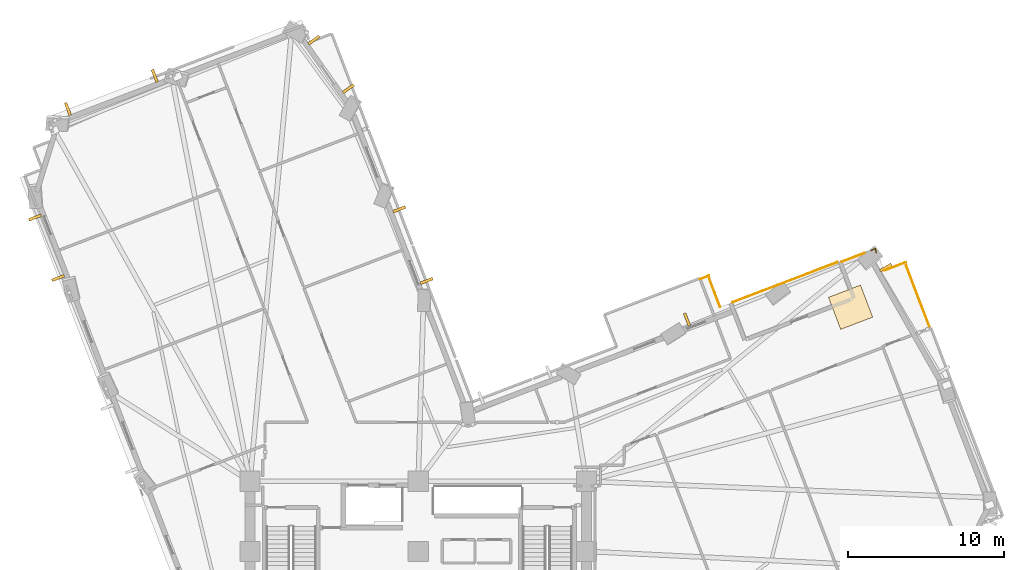
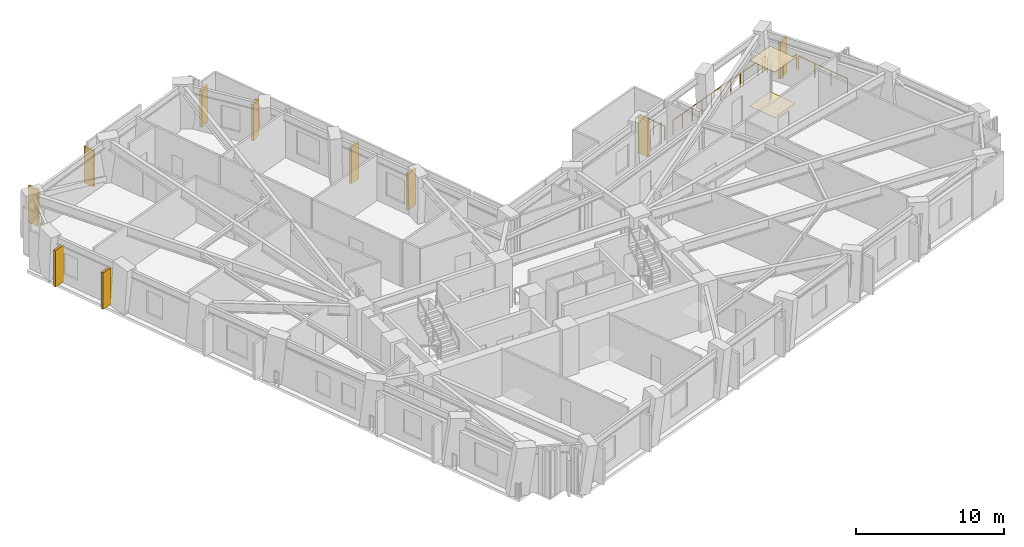
# One storey, part 15 of 15: 10 shading devices, 7 railings, 2 coverings.
"""IFC4 building model written with IfcOpenShell, lengths in metres."""

import ifcopenshell
import ifcopenshell.guid

model = None  # the IFC model being written
_history = None  # IfcOwnerHistory: only IFC2X3 demands one
_inside = {}  # id of a spatial element -> (the spatial element, [elements in it])
_under = {}  # id of a project, library or spatial element -> (it, [spatial elements below it])
_declared = {}  # id of a project -> (the project, [libraries it declares])
_typed = {}  # id of a type object -> (the type object, [elements of that type])
_made_of = {}  # id of a material, layer set ... -> (it, [elements and type objects made of it])


def new_model(schema):
    """Start an empty IFC model of exactly this schema.

    Asked for "IFC4X3", IfcOpenShell would pick the latest addendum, in which some entities
    have other attributes; the version numbers below select the first issue.
    IFC2X3 requires an IfcOwnerHistory on every rooted entity: one is made here for all.
    """
    global model, _history
    if schema == "IFC4X3":
        model = ifcopenshell.file(schema_version=(4, 3, 0, 0))
    else:
        model = ifcopenshell.file(schema=schema)
    _inside.clear()
    _under.clear()
    _declared.clear()
    _typed.clear()
    _made_of.clear()
    _history = None
    if model.schema == "IFC2X3":
        org = make("IfcOrganization", Name="unknown")
        user = make(
            "IfcPersonAndOrganization",
            ThePerson=make("IfcPerson", FamilyName="unknown"),
            TheOrganization=org,
        )
        app = make(
            "IfcApplication",
            ApplicationDeveloper=org,
            Version="unknown",
            ApplicationFullName="unknown",
            ApplicationIdentifier="unknown",
        )
        _history = make(
            "IfcOwnerHistory",
            OwningUser=user,
            OwningApplication=app,
            ChangeAction="ADDED",
            CreationDate=0,
        )
    return model


def make(cls, **values):
    """One entity of the class cls with the attributes given. An attribute that is None is left unset."""
    return model.create_entity(
        cls, **{name: value for name, value in values.items() if value is not None}
    )


def rooted(cls, **values):
    """An entity with a GlobalId (a new one), such as an element, a storey or a relation."""
    return make(cls, GlobalId=ifcopenshell.guid.new(), OwnerHistory=_history, **values)


def si_unit(unit_type, name, prefix=None):
    """IfcSIUnit, for example si_unit("LENGTHUNIT", "METRE", prefix="MILLI")."""
    return make("IfcSIUnit", UnitType=unit_type, Prefix=prefix, Name=name)


def assignment(units):
    """IfcUnitAssignment: the units of a project."""
    return None if units is None else make("IfcUnitAssignment", Units=units)


def point(xyz):
    """IfcCartesianPoint."""
    return None if xyz is None else make("IfcCartesianPoint", Coordinates=xyz)


def direction(xyz):
    """IfcDirection."""
    return None if xyz is None else make("IfcDirection", DirectionRatios=xyz)


def frame(location, z_axis=None, x_axis=None):
    """IfcAxis2Placement3D, a coordinate frame: its origin and axes. An axis left out is left unset."""
    return make(
        "IfcAxis2Placement3D",
        Location=point(location),
        Axis=direction(z_axis),
        RefDirection=direction(x_axis),
    )


def frame_2d(location, x_axis=None):
    """IfcAxis2Placement2D, a coordinate frame in the plane: its origin and x axis."""
    return make(
        "IfcAxis2Placement2D", Location=point(location), RefDirection=direction(x_axis)
    )


def origin():
    """The frame at (0, 0, 0) with its axes left unset."""
    return frame((0.0, 0.0, 0.0))


def origin_2d():
    """The frame at (0, 0) in the plane with its x axis left unset."""
    return frame_2d((0.0, 0.0))


def place(relative_to, where):
    """IfcLocalPlacement: puts the frame where relative to a parent placement (None: the world)."""
    return make(
        "IfcLocalPlacement", PlacementRelTo=relative_to, RelativePlacement=where
    )


def context(
    kind, dimensions, precision=None, world=None, true_north=None, identifier=None
):
    """IfcGeometricRepresentationContext, for example the 3D "Model" context."""
    return make(
        "IfcGeometricRepresentationContext",
        ContextIdentifier=identifier,
        ContextType=kind,
        CoordinateSpaceDimension=dimensions,
        Precision=precision,
        WorldCoordinateSystem=world,
        TrueNorth=true_north,
    )


def subcontext(parent, identifier, kind, view, scale=None):
    """IfcGeometricRepresentationSubContext, for example "Body" below "Model"."""
    return make(
        "IfcGeometricRepresentationSubContext",
        ContextIdentifier=identifier,
        ContextType=kind,
        ParentContext=parent,
        TargetScale=scale,
        TargetView=view,
    )


def project(units=None, contexts=None):
    """IfcProject with its units and contexts."""
    return rooted(
        "IfcProject",
        Name="project",
        RepresentationContexts=contexts,
        UnitsInContext=assignment(units),
    )


def spatial(cls, under=None, at=None, **own):
    """A site, building, storey or space (cls), placed at a placement, below another one or the project."""
    s = rooted(cls, ObjectPlacement=at, **own)
    if under is not None:
        _under.setdefault(under.id(), (under, []))[1].append(s)
    return s


def profile(cls, at=None, kind="AREA", **sizes):
    """A parametric profile (cls). Its sizes go by their IFC names, for example OverallWidth=200.0."""
    return make(cls, ProfileType=kind, Position=at, **sizes)


def rectangle(**sizes):
    """IfcRectangleProfileDef."""
    return profile("IfcRectangleProfileDef", **sizes)


def circle(**sizes):
    """IfcCircleProfileDef."""
    return profile("IfcCircleProfileDef", **sizes)


def extrude(swept, where, along, depth):
    """IfcExtrudedAreaSolid: the profile swept, set in the frame where, extruded along a direction by depth."""
    return make(
        "IfcExtrudedAreaSolid",
        SweptArea=swept,
        Position=where,
        ExtrudedDirection=direction(along),
        Depth=depth,
    )


def shape(context_of_items, identifier, shape_type, items):
    """IfcShapeRepresentation: the items that make up one representation, for example the "Body"."""
    return make(
        "IfcShapeRepresentation",
        ContextOfItems=context_of_items,
        RepresentationIdentifier=identifier,
        RepresentationType=shape_type,
        Items=items,
    )


def material(Name=None, Category=None):
    """IfcMaterial."""
    return make("IfcMaterial", Name=Name, Category=Category)


def layer(
    of_material, thickness, ventilated=None, Name=None, Category=None, Priority=None
):
    """IfcMaterialLayer: one layer of a wall or slab, of a material (None: an air gap)."""
    return make(
        "IfcMaterialLayer",
        Material=of_material,
        LayerThickness=thickness,
        IsVentilated=ventilated,
        Name=Name,
        Category=Category,
        Priority=Priority,
    )


def layer_set(layers, Name=None):
    """IfcMaterialLayerSet."""
    return make("IfcMaterialLayerSet", MaterialLayers=layers, LayerSetName=Name)


def made_of(thing, what):
    """Note that an element or type object is made of a material, layer set ...; save() writes the relation."""
    if what is not None:
        _made_of.setdefault(what.id(), (what, []))[1].append(thing)
    return thing


def type_object(cls, material=None, **own):
    """A type object (cls), such as IfcWallType, which elements share."""
    return made_of(rooted(cls, **own), material)


def element(
    cls,
    number,
    at=None,
    inside=None,
    cuts=None,
    type_object=None,
    material=None,
    context=None,
    identifier="Body",
    shape_type=None,
    held_by="IfcProductDefinitionShape",
    body=None,
    shapes=None,
    **own,
):
    """One element of the class cls, such as IfcWall. Its Tag is "e" and its number.

    at: its placement. inside: the storey or other place that contains it. cuts: it is an
    opening in that element (IfcRelVoidsElement). A single representation is given by context,
    identifier, shape_type and body (its items); several are given by shapes. held_by: the class
    of the entity that holds the representations. save() writes the other relations.
    """
    e = rooted(cls, Tag="e%d" % number, ObjectPlacement=at, **own)
    if body is not None:
        shapes = [shape(context, identifier, shape_type, body)]
    if shapes is not None:
        e.Representation = make(held_by, Representations=shapes)
    if inside is not None:
        _inside.setdefault(inside.id(), (inside, []))[1].append(e)
    if cuts is not None:
        rooted(
            "IfcRelVoidsElement", RelatingBuildingElement=cuts, RelatedOpeningElement=e
        )
    if type_object is not None:
        _typed.setdefault(type_object.id(), (type_object, []))[1].append(e)
    return made_of(e, material)


def aggregate(whole, parts):
    """IfcRelAggregates: a whole, such as a stair, and the parts it consists of."""
    return rooted("IfcRelAggregates", RelatingObject=whole, RelatedObjects=parts)


def save(model, path):
    """Write the relations noted so far, then the file.

    IfcRelAggregates (storeys below a building ...), IfcRelContainedInSpatialStructure (elements
    in a storey), IfcRelDefinesByType, IfcRelAssociatesMaterial and IfcRelDeclares: one each for
    every whole, place, type object, material and project.
    """
    for whole, parts in _under.values():
        aggregate(whole, parts)
    for where, things in _inside.values():
        rooted(
            "IfcRelContainedInSpatialStructure",
            RelatedElements=things,
            RelatingStructure=where,
        )
    for kind, things in _typed.values():
        rooted("IfcRelDefinesByType", RelatedObjects=things, RelatingType=kind)
    for what, things in _made_of.values():
        rooted("IfcRelAssociatesMaterial", RelatedObjects=things, RelatingMaterial=what)
    for by, libraries in _declared.values():
        rooted("IfcRelDeclares", RelatingContext=by, RelatedDefinitions=libraries)
    model.write(path)


model = new_model("IFC4")

# Units and contexts
model_context = context("Model", 3, precision=1e-05, world=origin(), true_north=direction((0.0, 1.0)))
body_context = subcontext(model_context, "Body", "Model", "MODEL_VIEW")
ifc_project = project(units=[si_unit("LENGTHUNIT", "METRE"), si_unit("AREAUNIT", "SQUARE_METRE"), si_unit("VOLUMEUNIT", "CUBIC_METRE"), si_unit("PLANEANGLEUNIT", "RADIAN"), si_unit("MASSUNIT", "GRAM", prefix="KILO")], contexts=[model_context])

# Site, building, storey
site_placement = place(None, origin())
site = spatial("IfcSite", under=ifc_project, at=site_placement, CompositionType="ELEMENT")
building_placement = place(site_placement, origin())
building = spatial("IfcBuilding", under=site, at=building_placement, Name="Gaonmaruhae Medical Tower", CompositionType="ELEMENT")
storey_placement = place(building_placement, frame((0.0, 0.0, 112.39990234375)))
storey = spatial("IfcBuildingStorey", under=building, at=storey_placement, Name="L26", CompositionType="ELEMENT", Elevation=112.39990234375)

# Coverings
ifc_material_1 = material(Name="Acoustic mineral ceiling tile", Category="finish")
ifc_layer_1 = layer(ifc_material_1, 0.02490234375)
ifc_layer_set_1 = layer_set([ifc_layer_1], Name="Acoustic mineral ceiling tile")
covering_type_1 = type_object("IfcCoveringType", Name="CLG-01 Antimicrobial Acoustic Mineral Ceiling", PredefinedType="CEILING", material=ifc_layer_set_1)
covering_1_placement = place(storey_placement, frame((52.558837890625, 27.9736328125, 3.755126953125), z_axis=(0.0, 0.0, 1.0), x_axis=(0.934204474321, 0.35673799932, 0.0)))
element("IfcCovering", 1, at=covering_1_placement, inside=storey, type_object=covering_type_1, Name="L26 Clinical Corridor Acoustic Ceiling", PredefinedType="CEILING", context=body_context, shape_type="SweptSolid", body=[
    extrude(rectangle(XDim=2.199951171875, YDim=2.199951171875, at=origin_2d()), origin(), (0.0, 0.0, 1.0), 0.02490234375),
])
ifc_material_2 = material(Name="Seamless clinical vinyl flooring", Category="finish")
ifc_layer_2 = layer(ifc_material_2, 0.014892578125)
ifc_layer_set_2 = layer_set([ifc_layer_2], Name="Seamless clinical vinyl flooring")
covering_type_2 = type_object("IfcCoveringType", Name="FLR-01 Seamless Clinical Antistatic Vinyl Flooring", PredefinedType="FLOORING", material=ifc_layer_set_2)
covering_2_placement = place(storey_placement, frame((52.558837890625, 27.9736328125, 0.00048828125), z_axis=(0.0, 0.0, 1.0), x_axis=(0.934204474321, 0.35673799932, 0.0)))
element("IfcCovering", 2, at=covering_2_placement, inside=storey, type_object=covering_type_2, Name="L26 Clinical Corridor Vinyl Flooring", PredefinedType="FLOORING", context=body_context, shape_type="SweptSolid", body=[
    extrude(rectangle(XDim=2.199951171875, YDim=2.199951171875, at=origin_2d()), origin(), (0.0, 0.0, 1.0), 0.014892578125),
])

# Railings
ifc_material_3 = material(Name="Stainless steel 316L and laminated safety glass", Category="steel")
ifc_layer_3 = layer(ifc_material_3, 0.080078125)
ifc_layer_set_3 = layer_set([ifc_layer_3], Name="Stainless steel 316L and laminated safety glass")
railing_type = type_object("IfcRailingType", Name="GD-120 Outdoor Terrace Safety Glass & Steel Balustrade", PredefinedType="BALUSTRADE", material=ifc_layer_set_3)
railing_1_placement = place(storey_placement, frame((51.72314453125, 30.8642578125, 0.0)))
element("IfcRailing", 3, at=railing_1_placement, inside=storey, type_object=railing_type, Name="L26 Terrace Safety Guard RL-SLB-L26-TER-03", PredefinedType="BALUSTRADE", context=body_context, shape_type="SweptSolid", body=[
    extrude(circle(Radius=0.02392578125, at=origin_2d()), frame((0.0, 0.0, 1.17578125), z_axis=(-0.934201127778, -0.356746762925, 0.0), x_axis=(0.356746762925, -0.934201127778, 0.0)), (0.0, 0.0, 1.0), 7.2001953125),
    extrude(circle(Radius=0.02099609375, at=origin_2d()), origin(), (0.0, 0.0, 1.0), 1.15185546875),
    extrude(circle(Radius=0.02099609375, at=origin_2d()), frame((-0.9609375, -0.366943359375, 0.0)), (0.0, 0.0, 1.0), 1.15185546875),
    extrude(circle(Radius=0.02099609375, at=origin_2d()), frame((-1.921875, -0.73388671875, 0.0)), (0.0, 0.0, 1.0), 1.15185546875),
    extrude(circle(Radius=0.02099609375, at=origin_2d()), frame((-2.8828125, -1.100830078125, 0.0)), (0.0, 0.0, 1.0), 1.15185546875),
    extrude(circle(Radius=0.02099609375, at=origin_2d()), frame((-3.843505859375, -1.4677734375, 0.0)), (0.0, 0.0, 1.0), 1.15185546875),
    extrude(circle(Radius=0.02099609375, at=origin_2d()), frame((-4.804443359375, -1.834716796875, 0.0)), (0.0, 0.0, 1.0), 1.15185546875),
    extrude(circle(Radius=0.02099609375, at=origin_2d()), frame((-5.765380859375, -2.20166015625, 0.0)), (0.0, 0.0, 1.0), 1.15185546875),
    extrude(circle(Radius=0.02099609375, at=origin_2d()), frame((-6.726318359375, -2.568603515625, 0.0)), (0.0, 0.0, 1.0), 1.15185546875),
])
railing_2_placement = place(storey_placement, frame((54.736328125, 30.334228515625, 0.0)))
element("IfcRailing", 4, at=railing_2_placement, inside=storey, type_object=railing_type, Name="L26 Perimeter Slab Edge Safety Balustrade 01", PredefinedType="BALUSTRADE", context=body_context, shape_type="SweptSolid", body=[
    extrude(circle(Radius=0.02392578125, at=origin_2d()), frame((0.0, 0.0, 1.17578125), z_axis=(0.934174817126, 0.356815654152, 0.0), x_axis=(-0.356815654152, 0.934174817126, 0.0)), (0.0, 0.0, 1.0), 1.460205078125),
    extrude(circle(Radius=0.02099609375, at=origin_2d()), origin(), (0.0, 0.0, 1.0), 1.15185546875),
    extrude(circle(Radius=0.02099609375, at=origin_2d()), frame((1.364013671875, 0.52099609375, 0.0)), (0.0, 0.0, 1.0), 1.15185546875),
])
railing_3_placement = place(storey_placement, frame((56.12744140625, 30.643798828125, 0.0)))
element("IfcRailing", 5, at=railing_3_placement, inside=storey, type_object=railing_type, Name="L26 Perimeter Slab Edge Safety Balustrade 02", PredefinedType="BALUSTRADE", context=body_context, shape_type="SweptSolid", body=[
    extrude(circle(Radius=0.02392578125, at=origin_2d()), frame((0.0, 0.0, 1.17578125), z_axis=(0.356735158132, -0.93420555926, 0.0), x_axis=(0.93420555926, 0.356735158132, 0.0)), (0.0, 0.0, 1.0), 4.26708984375),
    extrude(circle(Radius=0.02099609375, at=origin_2d()), origin(), (0.0, 0.0, 1.0), 1.15185546875),
    extrude(circle(Radius=0.02099609375, at=origin_2d()), frame((0.50732421875, -1.328857421875, 0.0)), (0.0, 0.0, 1.0), 1.15185546875),
    extrude(circle(Radius=0.02099609375, at=origin_2d()), frame((1.014892578125, -2.657470703125, 0.0)), (0.0, 0.0, 1.0), 1.15185546875),
    extrude(circle(Radius=0.02099609375, at=origin_2d()), frame((1.522216796875, -3.986328125, 0.0)), (0.0, 0.0, 1.0), 1.15185546875),
])
railing_4_placement = place(storey_placement, frame((42.910400390625, 29.77880859375, 0.0)))
element("IfcRailing", 6, at=railing_4_placement, inside=storey, type_object=railing_type, Name="L26 Perimeter Slab Edge Safety Balustrade 08", PredefinedType="BALUSTRADE", context=body_context, shape_type="SweptSolid", body=[
    extrude(circle(Radius=0.02392578125, at=origin_2d()), frame((0.0, 0.0, 1.17578125), z_axis=(0.934171540045, 0.356824233719, 0.0), x_axis=(-0.356824233719, 0.934171540045, 0.0)), (0.0, 0.0, 1.0), 0.60009765625),
    extrude(circle(Radius=0.02099609375, at=origin_2d()), origin(), (0.0, 0.0, 1.0), 1.15185546875),
    extrude(circle(Radius=0.02099609375, at=origin_2d()), frame((0.560546875, 0.214111328125, 0.0)), (0.0, 0.0, 1.0), 1.15185546875),
])
railing_5_placement = place(storey_placement, frame((43.491455078125, 29.799072265625, 0.0)))
element("IfcRailing", 7, at=railing_5_placement, inside=storey, type_object=railing_type, Name="L26 Perimeter Slab Edge Safety Balustrade 09", PredefinedType="BALUSTRADE", context=body_context, shape_type="SweptSolid", body=[
    extrude(circle(Radius=0.02392578125, at=origin_2d()), frame((0.0, 0.0, 1.17578125), z_axis=(0.356755999256, -0.934197600615, 0.0), x_axis=(0.934197600615, 0.356755999256, 0.0)), (0.0, 0.0, 1.0), 1.921630859375),
    extrude(circle(Radius=0.02099609375, at=origin_2d()), origin(), (0.0, 0.0, 1.0), 1.15185546875),
    extrude(circle(Radius=0.02099609375, at=origin_2d()), frame((0.3427734375, -0.8974609375, 0.0)), (0.0, 0.0, 1.0), 1.15185546875),
    extrude(circle(Radius=0.02099609375, at=origin_2d()), frame((0.685546875, -1.795166015625, 0.0)), (0.0, 0.0, 1.0), 1.15185546875),
])
railing_6_placement = place(storey_placement, frame((51.997802734375, 30.894287109375, 0.0)))
element("IfcRailing", 8, at=railing_6_placement, inside=storey, type_object=railing_type, Name="L26 Perimeter Slab Edge Safety Balustrade 10", PredefinedType="BALUSTRADE", context=body_context, shape_type="SweptSolid", body=[
    extrude(circle(Radius=0.02392578125, at=origin_2d()), frame((0.0, 0.0, 1.17578125), z_axis=(0.934247968994, 0.356624077188, 0.0), x_axis=(-0.356624077188, 0.934247968994, 0.0)), (0.0, 0.0, 1.0), 1.5498046875),
    extrude(circle(Radius=0.02099609375, at=origin_2d()), origin(), (0.0, 0.0, 1.0), 1.15185546875),
    extrude(circle(Radius=0.02099609375, at=origin_2d()), frame((1.447998046875, 0.552734375, 0.0)), (0.0, 0.0, 1.0), 1.15185546875),
])
railing_7_placement = place(storey_placement, frame((53.883544921875, 31.6142578125, 0.0)))
element("IfcRailing", 9, at=railing_7_placement, inside=storey, type_object=railing_type, Name="L26 Perimeter Corner Safety Balustrade 12", PredefinedType="BALUSTRADE", context=body_context, shape_type="SweptSolid", body=[
    extrude(circle(Radius=0.02392578125, at=origin_2d()), frame((0.0, 0.0, 1.17578125), z_axis=(0.883643202785, 0.468160966091, 0.0), x_axis=(-0.468160966091, 0.883643202785, 0.0)), (0.0, 0.0, 1.0), 0.287353515625),
    extrude(circle(Radius=0.02392578125, at=origin_2d()), frame((0.25390625, 0.134521484375, 1.17578125), z_axis=(0.239734214911, -0.970838558258, 0.0), x_axis=(0.970838558258, 0.239734214911, 0.0)), (0.0, 0.0, 1.0), 0.287109375),
    extrude(circle(Radius=0.02099609375, at=origin_2d()), origin(), (0.0, 0.0, 1.0), 1.15185546875),
    extrude(circle(Radius=0.02099609375, at=origin_2d()), frame((0.25390625, 0.134521484375, 0.0)), (0.0, 0.0, 1.0), 1.15185546875),
    extrude(circle(Radius=0.02099609375, at=origin_2d()), frame((0.32275390625, -0.144287109375, 0.0)), (0.0, 0.0, 1.0), 1.15185546875),
])

# Shading devices
ifc_material_4 = material(Name="Pigmented coral precast concrete C45/55", Category="concrete")
shading_device_type = type_object("IfcShadingDeviceType", Name="SD-FIN1 Tower Vertical Coral Precast Shading Fin", PredefinedType="USERDEFINED", material=ifc_material_4)
for number, where, z_axis, x_axis, name in (
    (10, (54.812744140625, 30.518310546875, 0.08251953125), (0.0, 0.0, 1.0), (0.495322218001, -0.868709330187, 0.0), "L26 Vertical Coral Precast Shading Fin E02"),
    (11, (42.056884765625, 27.189208984375, 0.072509765625), (0.0, 0.0, 1.0), (0.934198247926, 0.356754304209, 0.0), "L26 Vertical Coral Precast Shading Fin EN01"),
    (12, (23.581298828125, 34.259765625, 0.08251953125), (0.0, 0.0, 1.0), (0.356721694321, -0.934210700431, 0.0), "L26 Vertical Coral Precast Shading Fin NE01"),
    (13, (25.33740234375, 29.660888671875, 0.08251953125), (0.0, 0.0, 1.0), (0.356721694321, -0.934210700431, 0.0), "L26 Vertical Coral Precast Shading Fin NE01B"),
    (14, (18.102294921875, 45.125244140625, 0.08251953125), (0.0, 0.0, 1.0), (0.577601198686, -0.816319089129, 0.0), "L26 Vertical Coral Precast Shading Fin NE03"),
    (15, (20.3134765625, 42.0, 0.08251953125), (0.0, 0.0, 1.0), (0.577601198686, -0.816319089129, 0.0), "L26 Vertical Coral Precast Shading Fin NE03B"),
    (16, (2.312255859375, 40.69970703125, 0.08251953125), (0.0, 0.0, 1.0), (0.934204474321, 0.35673799932, 0.0), "L26 Vertical Coral Precast Shading Fin N02"),
    (17, (7.8896484375, 42.829345703125, 0.08251953125), (0.0, 0.0, 1.0), (0.934204474321, 0.35673799932, 0.0), "L26 Vertical Coral Precast Shading Fin N02B"),
    (18, (1.68408203125, 29.848388671875, 0.08251953125), (0.0, 0.0, 1.0), (-0.35673799932, 0.934204474321, 0.0), "L26 Vertical Coral Precast Shading Fin W01"),
    (19, (0.20166015625, 33.730712890625, 0.08251953125), (0.0, 0.0, 1.0), (-0.35673799932, 0.934204474321, 0.0), "L26 Vertical Coral Precast Shading Fin W01B"),
):
    element("IfcShadingDevice", number, at=place(storey_placement, frame(where, z_axis=z_axis, x_axis=x_axis)), inside=storey, type_object=shading_device_type, Name=name, ObjectType="FIN", PredefinedType="USERDEFINED", context=body_context, shape_type="SweptSolid", body=[
        extrude(rectangle(XDim=0.179931640625, YDim=0.85009765625, at=origin_2d()), origin(), (0.0, 0.0, 1.0), 3.0),
    ])

save(model, "model.ifc")
